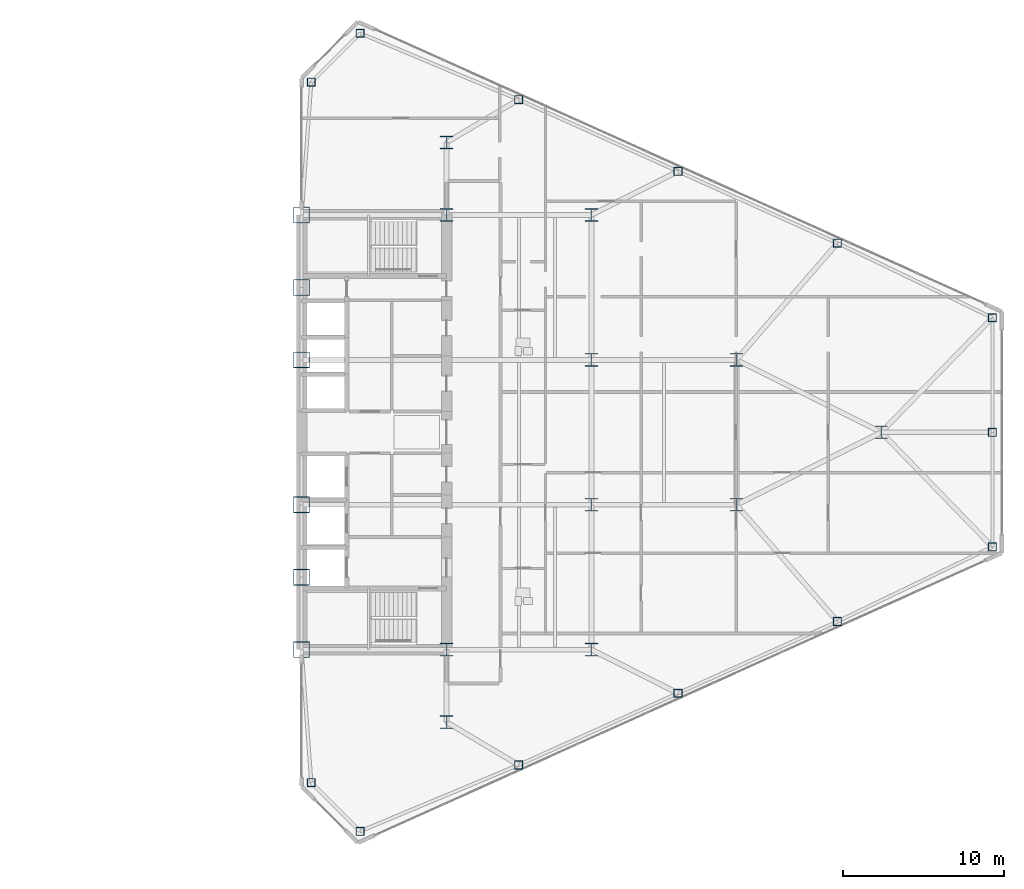
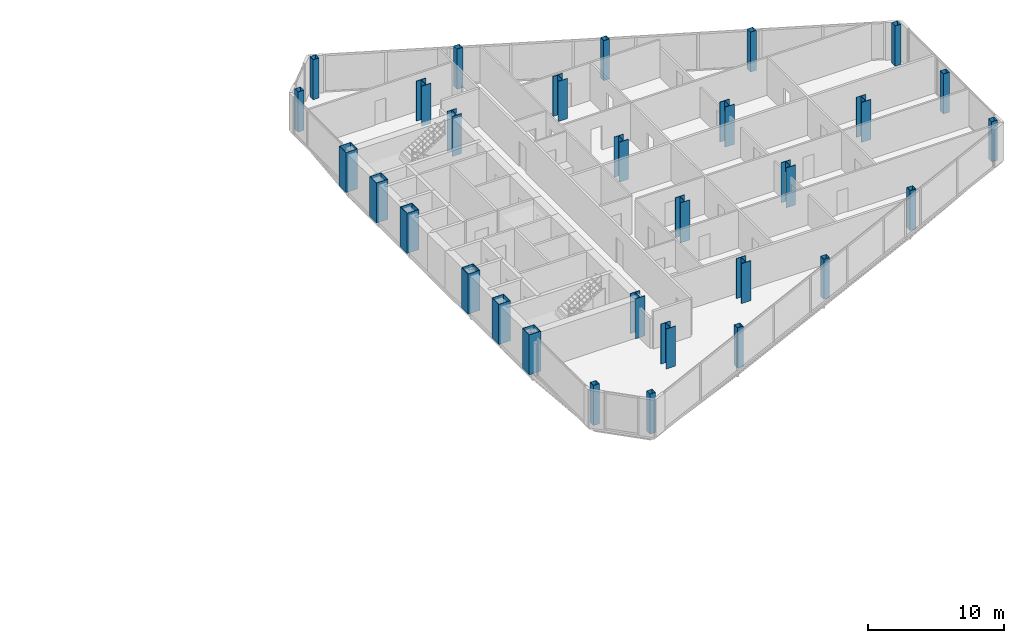
# One storey, part 2 of 27: 30 columns.
"""IFC4 building model written with IfcOpenShell, lengths in metres."""

import ifcopenshell
import ifcopenshell.guid

model = None  # the IFC model being written
_history = None  # IfcOwnerHistory: only IFC2X3 demands one
_inside = {}  # id of a spatial element -> (the spatial element, [elements in it])
_under = {}  # id of a project, library or spatial element -> (it, [spatial elements below it])
_declared = {}  # id of a project -> (the project, [libraries it declares])
_typed = {}  # id of a type object -> (the type object, [elements of that type])
_made_of = {}  # id of a material, layer set ... -> (it, [elements and type objects made of it])


def new_model(schema):
    """Start an empty IFC model of exactly this schema.

    Asked for "IFC4X3", IfcOpenShell would pick the latest addendum, in which some entities
    have other attributes; the version numbers below select the first issue.
    IFC2X3 requires an IfcOwnerHistory on every rooted entity: one is made here for all.
    """
    global model, _history
    if schema == "IFC4X3":
        model = ifcopenshell.file(schema_version=(4, 3, 0, 0))
    else:
        model = ifcopenshell.file(schema=schema)
    _inside.clear()
    _under.clear()
    _declared.clear()
    _typed.clear()
    _made_of.clear()
    _history = None
    if model.schema == "IFC2X3":
        org = make("IfcOrganization", Name="unknown")
        user = make(
            "IfcPersonAndOrganization",
            ThePerson=make("IfcPerson", FamilyName="unknown"),
            TheOrganization=org,
        )
        app = make(
            "IfcApplication",
            ApplicationDeveloper=org,
            Version="unknown",
            ApplicationFullName="unknown",
            ApplicationIdentifier="unknown",
        )
        _history = make(
            "IfcOwnerHistory",
            OwningUser=user,
            OwningApplication=app,
            ChangeAction="ADDED",
            CreationDate=0,
        )
    return model


def make(cls, **values):
    """One entity of the class cls with the attributes given. An attribute that is None is left unset."""
    return model.create_entity(
        cls, **{name: value for name, value in values.items() if value is not None}
    )


def rooted(cls, **values):
    """An entity with a GlobalId (a new one), such as an element, a storey or a relation."""
    return make(cls, GlobalId=ifcopenshell.guid.new(), OwnerHistory=_history, **values)


def si_unit(unit_type, name, prefix=None):
    """IfcSIUnit, for example si_unit("LENGTHUNIT", "METRE", prefix="MILLI")."""
    return make("IfcSIUnit", UnitType=unit_type, Prefix=prefix, Name=name)


def assignment(units):
    """IfcUnitAssignment: the units of a project."""
    return None if units is None else make("IfcUnitAssignment", Units=units)


def point(xyz):
    """IfcCartesianPoint."""
    return None if xyz is None else make("IfcCartesianPoint", Coordinates=xyz)


def direction(xyz):
    """IfcDirection."""
    return None if xyz is None else make("IfcDirection", DirectionRatios=xyz)


def frame(location, z_axis=None, x_axis=None):
    """IfcAxis2Placement3D, a coordinate frame: its origin and axes. An axis left out is left unset."""
    return make(
        "IfcAxis2Placement3D",
        Location=point(location),
        Axis=direction(z_axis),
        RefDirection=direction(x_axis),
    )


def frame_2d(location, x_axis=None):
    """IfcAxis2Placement2D, a coordinate frame in the plane: its origin and x axis."""
    return make(
        "IfcAxis2Placement2D", Location=point(location), RefDirection=direction(x_axis)
    )


def origin():
    """The frame at (0, 0, 0) with its axes left unset."""
    return frame((0.0, 0.0, 0.0))


def origin_2d():
    """The frame at (0, 0) in the plane with its x axis left unset."""
    return frame_2d((0.0, 0.0))


def place(relative_to, where):
    """IfcLocalPlacement: puts the frame where relative to a parent placement (None: the world)."""
    return make(
        "IfcLocalPlacement", PlacementRelTo=relative_to, RelativePlacement=where
    )


def context(
    kind, dimensions, precision=None, world=None, true_north=None, identifier=None
):
    """IfcGeometricRepresentationContext, for example the 3D "Model" context."""
    return make(
        "IfcGeometricRepresentationContext",
        ContextIdentifier=identifier,
        ContextType=kind,
        CoordinateSpaceDimension=dimensions,
        Precision=precision,
        WorldCoordinateSystem=world,
        TrueNorth=true_north,
    )


def subcontext(parent, identifier, kind, view, scale=None):
    """IfcGeometricRepresentationSubContext, for example "Body" below "Model"."""
    return make(
        "IfcGeometricRepresentationSubContext",
        ContextIdentifier=identifier,
        ContextType=kind,
        ParentContext=parent,
        TargetScale=scale,
        TargetView=view,
    )


def project(units=None, contexts=None):
    """IfcProject with its units and contexts."""
    return rooted(
        "IfcProject",
        Name="project",
        RepresentationContexts=contexts,
        UnitsInContext=assignment(units),
    )


def spatial(cls, under=None, at=None, **own):
    """A site, building, storey or space (cls), placed at a placement, below another one or the project."""
    s = rooted(cls, ObjectPlacement=at, **own)
    if under is not None:
        _under.setdefault(under.id(), (under, []))[1].append(s)
    return s


def profile(cls, at=None, kind="AREA", **sizes):
    """A parametric profile (cls). Its sizes go by their IFC names, for example OverallWidth=200.0."""
    return make(cls, ProfileType=kind, Position=at, **sizes)


def hollow_rectangle(**sizes):
    """IfcRectangleHollowProfileDef."""
    return profile("IfcRectangleHollowProfileDef", **sizes)


def i_section(**sizes):
    """IfcIShapeProfileDef."""
    return profile("IfcIShapeProfileDef", **sizes)


def extrude(swept, where, along, depth):
    """IfcExtrudedAreaSolid: the profile swept, set in the frame where, extruded along a direction by depth."""
    return make(
        "IfcExtrudedAreaSolid",
        SweptArea=swept,
        Position=where,
        ExtrudedDirection=direction(along),
        Depth=depth,
    )


def shape(context_of_items, identifier, shape_type, items):
    """IfcShapeRepresentation: the items that make up one representation, for example the "Body"."""
    return make(
        "IfcShapeRepresentation",
        ContextOfItems=context_of_items,
        RepresentationIdentifier=identifier,
        RepresentationType=shape_type,
        Items=items,
    )


def source(mapping_origin, context_of_items, identifier, shape_type, items):
    """IfcRepresentationMap: a shape defined once, which mapped items show again and again."""
    return make(
        "IfcRepresentationMap",
        MappingOrigin=mapping_origin,
        MappedRepresentation=shape(context_of_items, identifier, shape_type, items),
    )


def transform(
    local_origin,
    x_axis=None,
    y_axis=None,
    z_axis=None,
    scale=None,
    scale2=None,
    scale3=None,
    uniform=True,
):
    """IfcCartesianTransformationOperator3D, or its non-uniform kind. x_axis, y_axis, z_axis: its Axis1, 2, 3."""
    if uniform:
        return make(
            "IfcCartesianTransformationOperator3D",
            Axis1=direction(x_axis),
            Axis2=direction(y_axis),
            LocalOrigin=point(local_origin),
            Scale=scale,
            Axis3=direction(z_axis),
        )
    return make(
        "IfcCartesianTransformationOperator3DnonUniform",
        Axis1=direction(x_axis),
        Axis2=direction(y_axis),
        LocalOrigin=point(local_origin),
        Scale=scale,
        Axis3=direction(z_axis),
        Scale2=scale2,
        Scale3=scale3,
    )


def mapped(mapping_source, mapping_target):
    """IfcMappedItem: shows the shape of a source again, moved by a transform."""
    return make(
        "IfcMappedItem", MappingSource=mapping_source, MappingTarget=mapping_target
    )


def material(Name=None, Category=None):
    """IfcMaterial."""
    return make("IfcMaterial", Name=Name, Category=Category)


def material_profile(
    of_material, cross_section, Name=None, Category=None, Priority=None
):
    """IfcMaterialProfile: a cross section and its material."""
    return make(
        "IfcMaterialProfile",
        Name=Name,
        Material=of_material,
        Profile=cross_section,
        Priority=Priority,
        Category=Category,
    )


def profile_set(profiles, Name=None, composite=None):
    """IfcMaterialProfileSet."""
    return make(
        "IfcMaterialProfileSet",
        Name=Name,
        MaterialProfiles=profiles,
        CompositeProfile=composite,
    )


def made_of(thing, what):
    """Note that an element or type object is made of a material, layer set ...; save() writes the relation."""
    if what is not None:
        _made_of.setdefault(what.id(), (what, []))[1].append(thing)
    return thing


def type_object(cls, material=None, **own):
    """A type object (cls), such as IfcWallType, which elements share."""
    return made_of(rooted(cls, **own), material)


def type_shapes(of_type, sources):
    """Give a type object the sources (RepresentationMaps) that its elements show as mapped items."""
    of_type.RepresentationMaps = sources


def element(
    cls,
    number,
    at=None,
    inside=None,
    cuts=None,
    type_object=None,
    material=None,
    context=None,
    identifier="Body",
    shape_type=None,
    held_by="IfcProductDefinitionShape",
    body=None,
    shapes=None,
    **own,
):
    """One element of the class cls, such as IfcWall. Its Tag is "e" and its number.

    at: its placement. inside: the storey or other place that contains it. cuts: it is an
    opening in that element (IfcRelVoidsElement). A single representation is given by context,
    identifier, shape_type and body (its items); several are given by shapes. held_by: the class
    of the entity that holds the representations. save() writes the other relations.
    """
    e = rooted(cls, Tag="e%d" % number, ObjectPlacement=at, **own)
    if body is not None:
        shapes = [shape(context, identifier, shape_type, body)]
    if shapes is not None:
        e.Representation = make(held_by, Representations=shapes)
    if inside is not None:
        _inside.setdefault(inside.id(), (inside, []))[1].append(e)
    if cuts is not None:
        rooted(
            "IfcRelVoidsElement", RelatingBuildingElement=cuts, RelatedOpeningElement=e
        )
    if type_object is not None:
        _typed.setdefault(type_object.id(), (type_object, []))[1].append(e)
    return made_of(e, material)


def aggregate(whole, parts):
    """IfcRelAggregates: a whole, such as a stair, and the parts it consists of."""
    return rooted("IfcRelAggregates", RelatingObject=whole, RelatedObjects=parts)


def save(model, path):
    """Write the relations noted so far, then the file.

    IfcRelAggregates (storeys below a building ...), IfcRelContainedInSpatialStructure (elements
    in a storey), IfcRelDefinesByType, IfcRelAssociatesMaterial and IfcRelDeclares: one each for
    every whole, place, type object, material and project.
    """
    for whole, parts in _under.values():
        aggregate(whole, parts)
    for where, things in _inside.values():
        rooted(
            "IfcRelContainedInSpatialStructure",
            RelatedElements=things,
            RelatingStructure=where,
        )
    for kind, things in _typed.values():
        rooted("IfcRelDefinesByType", RelatedObjects=things, RelatingType=kind)
    for what, things in _made_of.values():
        rooted("IfcRelAssociatesMaterial", RelatedObjects=things, RelatingMaterial=what)
    for by, libraries in _declared.values():
        rooted("IfcRelDeclares", RelatingContext=by, RelatedDefinitions=libraries)
    model.write(path)


model = new_model("IFC4")

# Units and contexts
model_context = context("Model", 3, precision=1e-05, world=origin(), true_north=direction((0.0, 1.0)))
body_context = subcontext(model_context, "Body", "Model", "MODEL_VIEW")
ifc_project = project(units=[si_unit("LENGTHUNIT", "METRE"), si_unit("AREAUNIT", "SQUARE_METRE"), si_unit("VOLUMEUNIT", "CUBIC_METRE"), si_unit("PLANEANGLEUNIT", "RADIAN"), si_unit("MASSUNIT", "GRAM", prefix="KILO")], contexts=[model_context])

# Site, building, storey
site_placement = place(None, origin())
site = spatial("IfcSite", under=ifc_project, at=site_placement, CompositionType="ELEMENT")
building_placement = place(site_placement, origin())
building = spatial("IfcBuilding", under=site, at=building_placement, Name="Seokmaru Belvedere", CompositionType="ELEMENT")
storey_placement = place(building_placement, frame((0.0, 0.0, 96.0)))
storey = spatial("IfcBuildingStorey", under=building, at=storey_placement, Name="L25", CompositionType="ELEMENT", Elevation=96.0)

# Columns
ifc_material_1 = material(Name="Steel SM355 (355 MPa)", Category="steel")
ifc_material_profile_1 = material_profile(ifc_material_1, hollow_rectangle(XDim=0.5, YDim=0.5, WallThickness=0.02001953125, at=origin_2d()), Name="HSS-500x500x20")
ifc_profile_set_1 = profile_set([ifc_material_profile_1], Name="Steel SM355 (355 MPa)")
column_type_1 = type_object("IfcColumnType", Name="Perimeter Facet Column HSS-500", PredefinedType="COLUMN", material=ifc_profile_set_1)
shared_shape_1 = source(origin(), body_context, "Body", "SweptSolid", [
    extrude(hollow_rectangle(XDim=0.5, YDim=0.5, WallThickness=0.02001953125, at=origin_2d()), origin(), (0.0, 0.0, 1.0), 3.60009765625),
])
type_shapes(column_type_1, [shared_shape_1])
for number, where, z_axis, x_axis, name in (
    (1, (31.13134765625, -24.782958984375, 0.0), (0.0, 0.0, 1.0), (1.0, 0.0, 0.0), "L25 Column EF1"),
    (2, (70.39990234375, -7.112060546875, 0.0), (0.0, 0.0, 1.0), (1.0, 0.0, 0.0), "L25 Column EF2"),
    (3, (70.39990234375, 7.112060546875, 0.0), (0.0, 0.0, 1.0), (1.0, 0.0, 0.0), "L25 Column EF3"),
    (4, (31.13134765625, 24.782958984375, 0.0), (0.0, 0.0, 1.0), (1.0, 0.0, 0.0), "L25 Column EF4"),
    (5, (28.10009765625, 21.75146484375, 0.0), (0.0, 0.0, 1.0), (1.0, 0.0, 0.0), "L25 Column EF5"),
    (6, (28.10009765625, -21.75146484375, 0.0), (0.0, 0.0, 1.0), (1.0, 0.0, 0.0), "L25 Column EF6"),
    (7, (40.97265625, -20.661376953125, 0.0), (0.0, 0.0, 1.0), (1.0, 0.0, 0.0), "L25 Column EFLK_S1"),
    (8, (50.875, -16.205322265625, 0.0), (0.0, 0.0, 1.0), (1.0, 0.0, 0.0), "L25 Column EFLK_S2"),
    (9, (60.777587890625, -11.749267578125, 0.0), (0.0, 0.0, 1.0), (1.0, 0.0, 0.0), "L25 Column EFLK_S3"),
    (10, (40.97265625, 20.661376953125, 0.0), (0.0, 0.0, 1.0), (1.0, 0.0, 0.0), "L25 Column EFLK_N1"),
    (11, (50.875, 16.205322265625, 0.0), (0.0, 0.0, 1.0), (1.0, 0.0, 0.0), "L25 Column EFLK_N2"),
    (12, (60.777587890625, 11.749267578125, 0.0), (0.0, 0.0, 1.0), (1.0, 0.0, 0.0), "L25 Column EFLK_N3"),
    (13, (70.39990234375, 0.0, 0.0), (0.0, 0.0, 1.0), (1.0, 0.0, 0.0), "L25 Column EF_APXM"),
):
    element("IfcColumn", number, at=place(storey_placement, frame(where, z_axis=z_axis, x_axis=x_axis)), inside=storey, type_object=column_type_1, Name=name, PredefinedType="COLUMN", context=body_context, shape_type="MappedRepresentation", body=[
        mapped(shared_shape_1, transform((0.0, 0.0, 0.0), scale=1.0)),
    ])
ifc_material_2 = material(Name="Steel HSA650 (650 MPa)", Category="steel")
ifc_material_profile_2 = material_profile(ifc_material_2, hollow_rectangle(XDim=1.0, YDim=1.0, WallThickness=0.0419921875, at=origin_2d()), Name="BOX-1000x1000x42")
ifc_profile_set_2 = profile_set([ifc_material_profile_2], Name="Steel HSA650 (650 MPa)")
column_type_2 = type_object("IfcColumnType", Name="Portal Spine Column BOX-1000", PredefinedType="COLUMN", material=ifc_profile_set_2)
shared_shape_2 = source(origin(), body_context, "Body", "SweptSolid", [
    extrude(hollow_rectangle(XDim=1.0, YDim=1.0, WallThickness=0.0419921875, at=origin_2d()), origin(), (0.0, 0.0, 1.0), 3.60009765625),
])
type_shapes(column_type_2, [shared_shape_2])
for number, where, z_axis, x_axis, name in (
    (14, (27.5, -13.5, 0.0), (0.0, 0.0, 1.0), (1.0, 0.0, 0.0), "L25 Column ES1"),
    (15, (27.5, -9.0, 0.0), (0.0, 0.0, 1.0), (1.0, 0.0, 0.0), "L25 Column ES2"),
    (16, (27.5, -4.5, 0.0), (0.0, 0.0, 1.0), (1.0, 0.0, 0.0), "L25 Column ES3"),
    (17, (27.5, 4.5, 0.0), (0.0, 0.0, 1.0), (1.0, 0.0, 0.0), "L25 Column ES4"),
    (18, (27.5, 9.0, 0.0), (0.0, 0.0, 1.0), (1.0, 0.0, 0.0), "L25 Column ES5"),
    (19, (27.5, 13.5, 0.0), (0.0, 0.0, 1.0), (1.0, 0.0, 0.0), "L25 Column ES6"),
):
    element("IfcColumn", number, at=place(storey_placement, frame(where, z_axis=z_axis, x_axis=x_axis)), inside=storey, type_object=column_type_2, Name=name, PredefinedType="COLUMN", context=body_context, shape_type="MappedRepresentation", body=[
        mapped(shared_shape_2, transform((0.0, 0.0, 0.0), scale=1.0)),
    ])
ifc_material_profile_3 = material_profile(ifc_material_1, i_section(OverallWidth=0.800048828125, OverallDepth=0.800048828125, WebThickness=0.031982421875, FlangeThickness=0.050048828125, at=origin_2d()), Name="H-800x800x32x50")
ifc_profile_set_3 = profile_set([ifc_material_profile_3], Name="Steel SM355 (355 MPa)")
column_type_3 = type_object("IfcColumnType", Name="Lower-Mid Interior Column H-800", PredefinedType="COLUMN", material=ifc_profile_set_3)
shared_shape_3 = source(origin(), body_context, "Body", "SweptSolid", [
    extrude(i_section(OverallWidth=0.800048828125, OverallDepth=0.800048828125, WebThickness=0.031982421875, FlangeThickness=0.050048828125, at=origin_2d()), origin(), (0.0, 0.0, 1.0), 3.60009765625),
])
type_shapes(column_type_3, [shared_shape_3])
for number, where, z_axis, x_axis, name in (
    (20, (36.5, -18.0, 0.0), (0.0, 0.0, 1.0), (1.0, 0.0, 0.0), "L25 Column EC1"),
    (21, (36.5, -13.5, 0.0), (0.0, 0.0, 1.0), (1.0, 0.0, 0.0), "L25 Column EC2"),
    (22, (36.5, 13.5, 0.0), (0.0, 0.0, 1.0), (1.0, 0.0, 0.0), "L25 Column EC3"),
    (23, (36.5, 18.0, 0.0), (0.0, 0.0, 1.0), (1.0, 0.0, 0.0), "L25 Column EC4"),
    (24, (45.5, -13.5, 0.0), (0.0, 0.0, 1.0), (1.0, 0.0, 0.0), "L25 Column EG5_1"),
    (25, (45.5, -4.5, 0.0), (0.0, 0.0, 1.0), (1.0, 0.0, 0.0), "L25 Column EG5_2"),
    (26, (45.5, 4.5, 0.0), (0.0, 0.0, 1.0), (1.0, 0.0, 0.0), "L25 Column EG5_3"),
    (27, (45.5, 13.5, 0.0), (0.0, 0.0, 1.0), (1.0, 0.0, 0.0), "L25 Column EG5_4"),
    (28, (54.5, -4.5, 0.0), (0.0, 0.0, 1.0), (1.0, 0.0, 0.0), "L25 Column EG4P_1"),
    (29, (54.5, 4.5, 0.0), (0.0, 0.0, 1.0), (1.0, 0.0, 0.0), "L25 Column EG4P_2"),
    (30, (63.5, 0.0, 0.0), (0.0, 0.0, 1.0), (1.0, 0.0, 0.0), "L25 Column EG3P_1"),
):
    element("IfcColumn", number, at=place(storey_placement, frame(where, z_axis=z_axis, x_axis=x_axis)), inside=storey, type_object=column_type_3, Name=name, PredefinedType="COLUMN", context=body_context, shape_type="MappedRepresentation", body=[
        mapped(shared_shape_3, transform((0.0, 0.0, 0.0), scale=1.0)),
    ])

save(model, "model.ifc")
